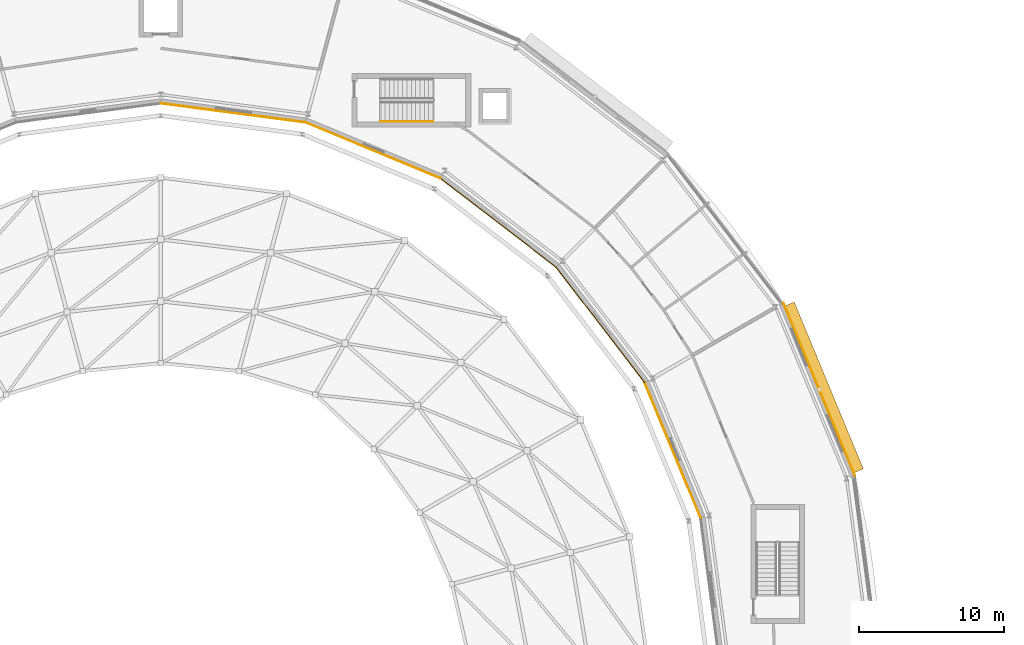
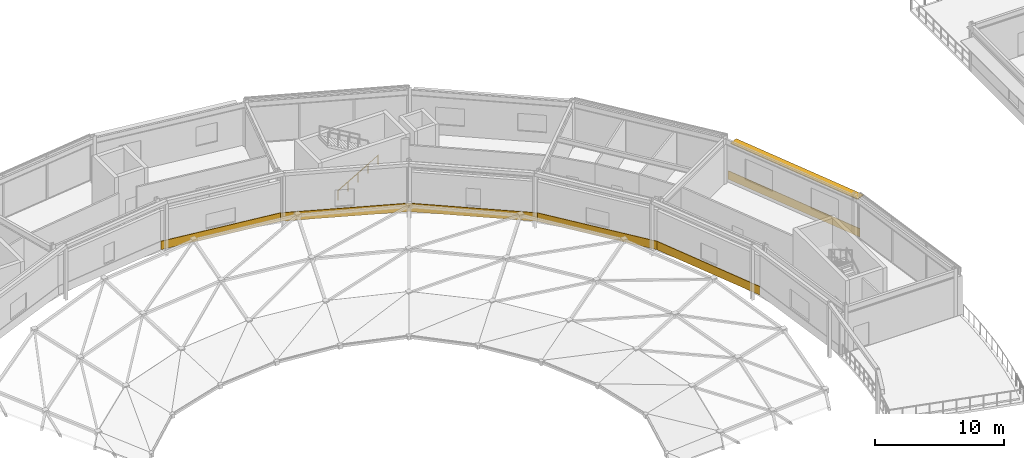
# One storey, part 83 of 89: 6 coverings, 1 railing, 1 shading device.
"""IFC4 building model written with IfcOpenShell, lengths in metres."""

from ifc_helpers import new_model, si_unit, direction, frame, origin, origin_2d, place, context, subcontext, project, spatial, rectangle, circle, extrude, material, layer, layer_set, type_object, element, save


model = new_model("IFC4")

# Units and contexts
model_context = context("Model", 3, precision=1e-05, world=origin(), true_north=direction((0.0, 1.0)))
body_context = subcontext(model_context, "Body", "Model", "MODEL_VIEW")
ifc_project = project(units=[si_unit("LENGTHUNIT", "METRE"), si_unit("AREAUNIT", "SQUARE_METRE"), si_unit("VOLUMEUNIT", "CUBIC_METRE"), si_unit("PLANEANGLEUNIT", "RADIAN"), si_unit("MASSUNIT", "GRAM", prefix="KILO")], contexts=[model_context])

# Site, building, storey
site_placement = place(None, origin())
site = spatial("IfcSite", under=ifc_project, at=site_placement, CompositionType="ELEMENT")
building_placement = place(site_placement, origin())
building = spatial("IfcBuilding", under=site, at=building_placement, Name="Almandine Court Research Institute", CompositionType="ELEMENT")
storey_placement = place(building_placement, frame((0.0, 0.0, 18.89990234375)))
storey = spatial("IfcBuildingStorey", under=building, at=storey_placement, Name="L04", CompositionType="ELEMENT", Elevation=18.89990234375)

# Coverings
ifc_material_1 = material(Name="Extruded Cream-Ochre Seismic Terracotta Spandrel", Category="masonry")
ifc_layer_1 = layer(ifc_material_1, 0.054931640625)
ifc_layer_set_1 = layer_set([ifc_layer_1], Name="Extruded Cream-Ochre Seismic Terracotta Spandrel")
covering_type = type_object("IfcCoveringType", Name="Cov-CLAD-TERR", PredefinedType="CLADDING", material=ifc_layer_set_1)
covering_placement = place(storey_placement, frame((132.35205078125, 74.785888671875, 0.02001953125), z_axis=(0.0, 0.0, 1.0), x_axis=(0.382683432365, -0.923879532511, 0.0)))
element("IfcCovering", 1, at=covering_placement, inside=storey, type_object=covering_type, Name="L04 Facade Spandrel Cladding Band 404", PredefinedType="CLADDING", context=body_context, shape_type="SweptSolid", body=[
    extrude(rectangle(XDim=12.868896484375, YDim=0.054931640625, at=origin_2d()), origin(), (0.0, 0.0, 1.0), 0.800048828125),
])
for number, where, z_axis, x_axis, name in (
    (2, (122.25390625, 70.60302734375, 0.02001953125), (0.0, 0.0, 1.0), (-0.382683432365, 0.923879532511, 0.0), "L04 Facade Spandrel Cladding Band 405"),
    (3, (117.27392578125, 79.22998046875, 0.02001953125), (0.0, 0.0, 1.0), (-0.608761429009, 0.793353340291, 0.0), "L04 Facade Spandrel Cladding Band 407"),
    (4, (110.22998046875, 86.27392578125, 0.02001953125), (0.0, 0.0, 1.0), (-0.793353340291, 0.608761429009, 0.0), "L04 Facade Spandrel Cladding Band 409"),
    (5, (101.60302734375, 91.25390625, 0.02001953125), (0.0, 0.0, 1.0), (-0.923879532511, 0.382683432365, 0.0), "L04 Facade Spandrel Cladding Band 411"),
    (6, (91.98095703125, 93.83203125, 0.02001953125), (0.0, 0.0, 1.0), (-0.991444861374, 0.13052619222, 0.0), "L04 Facade Spandrel Cladding Band 413"),
):
    element("IfcCovering", number, at=place(storey_placement, frame(where, z_axis=z_axis, x_axis=x_axis)), inside=storey, type_object=covering_type, Name=name, PredefinedType="CLADDING", context=body_context, shape_type="SweptSolid", body=[
        extrude(rectangle(XDim=10.080078125, YDim=0.054931640625, at=origin_2d()), origin(), (0.0, 0.0, 1.0), 0.800048828125),
    ])

# Railing
ifc_material_2 = material(Name="Brushed Stainless Steel Wall Handrail", Category="steel")
railing_type = type_object("IfcRailingType", Name="Rail-HAND-INT", PredefinedType="HANDRAIL", material=ifc_material_2)
railing_placement = place(storey_placement, frame((102.14990234375, 93.25, 0.175048828125)))
element("IfcRailing", 7, at=railing_placement, inside=storey, type_object=railing_type, Name="L04 ST-09 stair handrail 1", PredefinedType="HANDRAIL", context=body_context, shape_type="SweptSolid", body=[
    extrude(circle(Radius=0.02392578125, at=origin_2d()), frame((0.0, 0.0, 0.8759765625), z_axis=(0.863774651768, 0.0, 0.503878309678), x_axis=(0.0, 1.0, 0.0)), (0.0, 0.0, 1.0), 4.16796875),
    extrude(circle(Radius=0.02099609375, at=origin_2d()), origin(), (0.0, 0.0, 1.0), 0.851806640625),
    extrude(circle(Radius=0.02099609375, at=origin_2d()), frame((0.89990234375, 0.0, 0.52490234375)), (0.0, 0.0, 1.0), 0.851806640625),
    extrude(circle(Radius=0.02099609375, at=origin_2d()), frame((1.800048828125, 0.0, 1.050048828125)), (0.0, 0.0, 1.0), 0.851806640625),
    extrude(circle(Radius=0.02099609375, at=origin_2d()), frame((2.7001953125, 0.0, 1.5751953125)), (0.0, 0.0, 1.0), 0.851806640625),
    extrude(circle(Radius=0.02099609375, at=origin_2d()), frame((3.60009765625, 0.0, 2.10009765625)), (0.0, 0.0, 1.0), 0.851806640625),
])

# Shading device
ifc_material_3 = material(Name="Precast GFRC Chhajja Sunshade and Acoustic Louvre", Category="concrete")
ifc_layer_2 = layer(ifc_material_3, 0.080078125)
ifc_layer_set_2 = layer_set([ifc_layer_2], Name="Precast GFRC Chhajja Sunshade and Acoustic Louvre")
shading_device_type = type_object("IfcShadingDeviceType", Name="Shd-SD-88", PredefinedType="AWNING", material=ifc_layer_set_2)
shading_device_placement = place(storey_placement, frame((132.666015625, 74.916015625, 3.47412109375), z_axis=(0.0, 0.0, 1.0), x_axis=(0.382683432365, -0.923879532511, 0.0)))
element("IfcShadingDevice", 8, at=shading_device_placement, inside=storey, type_object=shading_device_type, Name="L04 Projecting Chhajja Sunshade 185", PredefinedType="AWNING", context=body_context, shape_type="SweptSolid", body=[
    extrude(rectangle(XDim=12.43896484375, YDim=0.75, at=origin_2d()), origin(), (0.0, 0.0, 1.0), 0.080078125),
])

save(model, "model.ifc")
